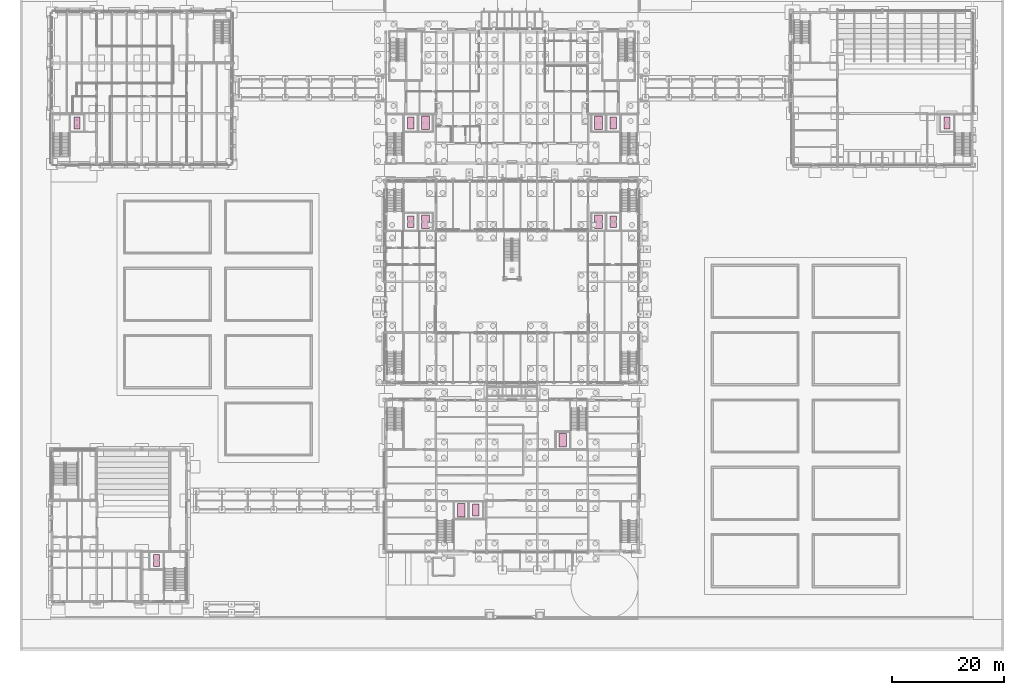
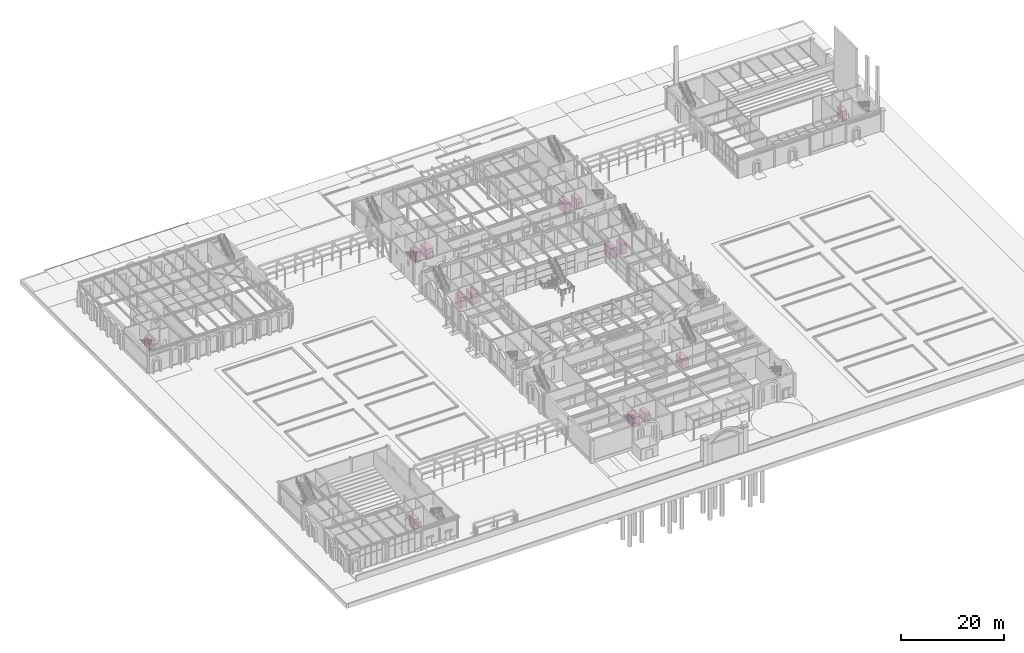
# One storey, part 126 of 126: 14 transport elements.
"""IFC4 building model written with IfcOpenShell, lengths in metres."""

from ifc_helpers import new_model, si_unit, direction, frame, origin, origin_2d, place, context, subcontext, project, spatial, rectangle, extrude, material, type_object, element, save


model = new_model("IFC4")

# Units and contexts
model_context = context("Model", 3, precision=1e-05, world=origin(), true_north=direction((0.0, 1.0)))
body_context = subcontext(model_context, "Body", "Model", "MODEL_VIEW")
ifc_project = project(units=[si_unit("LENGTHUNIT", "METRE"), si_unit("AREAUNIT", "SQUARE_METRE"), si_unit("VOLUMEUNIT", "CUBIC_METRE"), si_unit("PLANEANGLEUNIT", "RADIAN"), si_unit("MASSUNIT", "GRAM", prefix="KILO")], contexts=[model_context])

# Site, building, storey
site_placement = place(None, origin())
site = spatial("IfcSite", under=ifc_project, at=site_placement, CompositionType="ELEMENT")
building_placement = place(site_placement, origin())
building = spatial("IfcBuilding", under=site, at=building_placement, Name="Kallimachos Central Library", CompositionType="ELEMENT")
storey_placement = place(building_placement, origin())
storey = spatial("IfcBuildingStorey", under=building, at=storey_placement, Name="L00", CompositionType="ELEMENT", Elevation=0.0)

# Transport elements
ifc_material_1 = material(Name="Steel and glass lift car", Category="steel")
transport_element_type_1 = type_object("IfcTransportElementType", Name="Firefighting lift 1600 kg", PredefinedType="ELEVATOR", material=ifc_material_1)
transport_element_1_placement = place(storey_placement, frame((97.050048828125, 37.699951171875, 0.0), z_axis=(0.0, 0.0, 1.0), x_axis=(1.0, 0.0, 0.0)))
element("IfcTransportElement", 1, at=transport_element_1_placement, inside=storey, type_object=transport_element_type_1, Name="Lift LF13", PredefinedType="ELEVATOR", context=body_context, shape_type="SweptSolid", body=[
    extrude(rectangle(XDim=1.39990234375, YDim=2.39990234375, at=origin_2d()), origin(), (0.0, 0.0, 1.0), 2.199951171875),
])
for number, where, z_axis, x_axis, name in (
    (2, (72.550048828125, 76.699951171875, 0.050048828125), (0.0, 0.0, 1.0), (1.0, 0.0, 0.0), "Lift LF8"),
    (3, (103.449951171875, 76.699951171875, 0.050048828125), (0.0, 0.0, 1.0), (1.0, 0.0, 0.0), "Lift LF10"),
    (4, (72.550048828125, 94.300048828125, 0.050048828125), (0.0, 0.0, 1.0), (1.0, 0.0, 0.0), "Lift LF2"),
    (5, (103.449951171875, 94.300048828125, 0.050048828125), (0.0, 0.0, 1.0), (1.0, 0.0, 0.0), "Lift LF4"),
):
    element("IfcTransportElement", number, at=place(storey_placement, frame(where, z_axis=z_axis, x_axis=x_axis)), inside=storey, type_object=transport_element_type_1, Name=name, PredefinedType="ELEVATOR", context=body_context, shape_type="SweptSolid", body=[
        extrude(rectangle(XDim=1.39990234375, YDim=2.39990234375, at=origin_2d()), origin(), (0.0, 0.0, 1.0), 2.39990234375),
    ])
ifc_material_2 = material(Name="Steel and glass lift car", Category="steel")
transport_element_type_2 = type_object("IfcTransportElementType", Name="Goods lift 1600 kg", PredefinedType="ELEVATOR", material=ifc_material_2)
transport_element_2_placement = place(storey_placement, frame((78.949951171875, 25.300048828125, 0.0), z_axis=(0.0, 0.0, 1.0), x_axis=(1.0, 0.0, 0.0)))
element("IfcTransportElement", 6, at=transport_element_2_placement, inside=storey, type_object=transport_element_type_2, Name="Lift LF11", PredefinedType="ELEVATOR", context=body_context, shape_type="SweptSolid", body=[
    extrude(rectangle(XDim=1.39990234375, YDim=2.39990234375, at=origin_2d()), origin(), (0.0, 0.0, 1.0), 2.199951171875),
])
ifc_material_3 = material(Name="Steel and glass lift car", Category="steel")
transport_element_type_3 = type_object("IfcTransportElementType", Name="Passenger lift 1000 kg", PredefinedType="ELEVATOR", material=ifc_material_3)
transport_element_3_placement = place(storey_placement, frame((81.550048828125, 25.300048828125, 0.0), z_axis=(0.0, 0.0, 1.0), x_axis=(1.0, 0.0, 0.0)))
element("IfcTransportElement", 7, at=transport_element_3_placement, inside=storey, type_object=transport_element_type_3, Name="Lift LF12", PredefinedType="ELEVATOR", context=body_context, shape_type="SweptSolid", body=[
    extrude(rectangle(XDim=1.10009765625, YDim=2.10009765625, at=origin_2d()), origin(), (0.0, 0.0, 1.0), 2.199951171875),
])
for number, where, z_axis, x_axis, name in (
    (8, (69.949951171875, 76.699951171875, 0.050048828125), (0.0, 0.0, 1.0), (1.0, 0.0, 0.0), "Lift LF7"),
    (9, (106.050048828125, 76.699951171875, 0.050048828125), (0.0, 0.0, 1.0), (1.0, 0.0, 0.0), "Lift LF9"),
    (10, (69.949951171875, 94.300048828125, 0.050048828125), (0.0, 0.0, 1.0), (1.0, 0.0, 0.0), "Lift LF1"),
    (11, (106.050048828125, 94.300048828125, 0.050048828125), (0.0, 0.0, 1.0), (1.0, 0.0, 0.0), "Lift LF3"),
    (12, (10.449951171875, 94.300048828125, 0.050048828125), (0.0, 0.0, 1.0), (1.0, 0.0, 0.0), "Lift LF5"),
    (13, (24.64990234375, 16.300048828125, 0.050048828125), (0.0, 0.0, 1.0), (1.0, 0.0, 0.0), "Lift LF14"),
    (14, (165.550048828125, 94.300048828125, 0.050048828125), (0.0, 0.0, 1.0), (1.0, 0.0, 0.0), "Lift LF6"),
):
    element("IfcTransportElement", number, at=place(storey_placement, frame(where, z_axis=z_axis, x_axis=x_axis)), inside=storey, type_object=transport_element_type_3, Name=name, PredefinedType="ELEVATOR", context=body_context, shape_type="SweptSolid", body=[
        extrude(rectangle(XDim=1.10009765625, YDim=2.10009765625, at=origin_2d()), origin(), (0.0, 0.0, 1.0), 2.39990234375),
    ])

save(model, "model.ifc")
